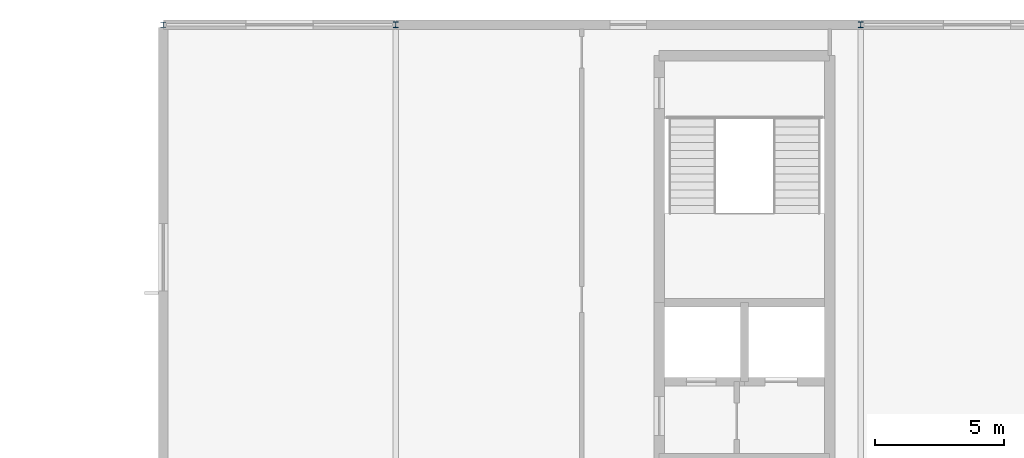
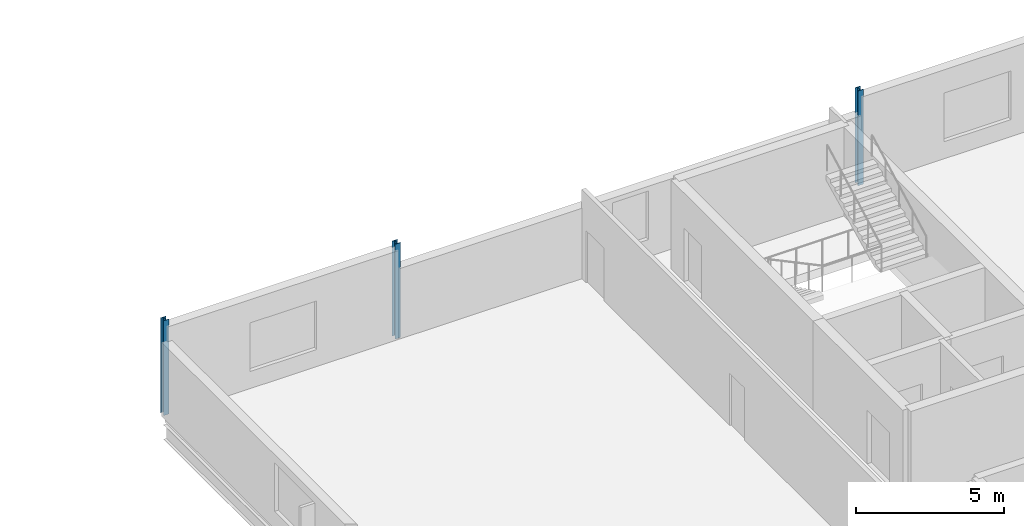
# One storey, part 15 of 35: 3 columns.
"""IFC4 building model written with IfcOpenShell, lengths in metres."""

from ifc_helpers import new_model, si_unit, direction, frame, origin, origin_2d, place, context, subcontext, project, spatial, i_section, extrude, material, material_profile, profile_set, type_object, element, save


model = new_model("IFC4")

# Units and contexts
model_context = context("Model", 3, precision=1e-05, world=origin(), true_north=direction((0.0, 1.0)))
body_context = subcontext(model_context, "Body", "Model", "MODEL_VIEW")
ifc_project = project(units=[si_unit("LENGTHUNIT", "METRE"), si_unit("AREAUNIT", "SQUARE_METRE"), si_unit("VOLUMEUNIT", "CUBIC_METRE"), si_unit("PLANEANGLEUNIT", "RADIAN"), si_unit("MASSUNIT", "GRAM", prefix="KILO")], contexts=[model_context])

# Site, building, storey
site_placement = place(None, origin())
site = spatial("IfcSite", under=ifc_project, at=site_placement, CompositionType="ELEMENT")
building_placement = place(site_placement, origin())
building = spatial("IfcBuilding", under=site, at=building_placement, Name="Kisiwana Market Hall", CompositionType="ELEMENT")
storey_placement = place(building_placement, frame((0.0, 0.0, 57.89990234375)))
storey = spatial("IfcBuildingStorey", under=building, at=storey_placement, Name="L13", CompositionType="ELEMENT", Elevation=57.89990234375)

# Columns
ifc_material_1 = material(Name="Steel S355", Category="steel")
ifc_material_profile_1 = material_profile(ifc_material_1, i_section(OverallWidth=0.205810546875, OverallDepth=0.209716796875, WebThickness=0.009521484375, FlangeThickness=0.01416015625, FilletRadius=0.01025390625, at=origin_2d()), Name="UC 203x203x60")
ifc_profile_set_1 = profile_set([ifc_material_profile_1], Name="Steel S355")
column_type_1 = type_object("IfcColumnType", Name="COL-STL-UC060", PredefinedType="COLUMN", material=ifc_profile_set_1)
column_placement = place(storey_placement, frame((162.0, 102.0, 0.0), z_axis=(0.0, 0.0, 1.0), x_axis=(1.0, 0.0, 0.0)))
element("IfcColumn", 1, at=column_placement, inside=storey, type_object=column_type_1, Name="Column N/19 (L13) C-1423", PredefinedType="COLUMN", context=body_context, shape_type="SweptSolid", body=[
    extrude(i_section(OverallWidth=0.205810546875, OverallDepth=0.209716796875, WebThickness=0.009521484375, FlangeThickness=0.01416015625, FilletRadius=0.01025390625, at=origin_2d()), origin(), (0.0, 0.0, 1.0), 3.900146484375),
])
ifc_material_2 = material(Name="Steel S355", Category="steel")
ifc_material_profile_2 = material_profile(ifc_material_2, i_section(OverallWidth=0.208984375, OverallDepth=0.22216796875, WebThickness=0.0126953125, FlangeThickness=0.0205078125, FilletRadius=0.01025390625, at=origin_2d()), Name="UC 203x203x86")
ifc_profile_set_2 = profile_set([ifc_material_profile_2], Name="Steel S355")
column_type_2 = type_object("IfcColumnType", Name="COL-STL-UC086", PredefinedType="COLUMN", material=ifc_profile_set_2)
for number, where, z_axis, x_axis, name in (
    (2, (171.0, 102.0, 0.0), (0.0, 0.0, 1.0), (1.0, 0.0, 0.0), "Column N/20 (L13) C-1428"),
    (3, (189.0, 102.0, 0.0), (0.0, 0.0, 1.0), (1.0, 0.0, 0.0), "Column N/22 (L13) C-1432"),
):
    element("IfcColumn", number, at=place(storey_placement, frame(where, z_axis=z_axis, x_axis=x_axis)), inside=storey, type_object=column_type_2, Name=name, PredefinedType="COLUMN", context=body_context, shape_type="SweptSolid", body=[
        extrude(i_section(OverallWidth=0.208984375, OverallDepth=0.22216796875, WebThickness=0.0126953125, FlangeThickness=0.0205078125, FilletRadius=0.01025390625, at=origin_2d()), origin(), (0.0, 0.0, 1.0), 3.900146484375),
    ])

save(model, "model.ifc")
